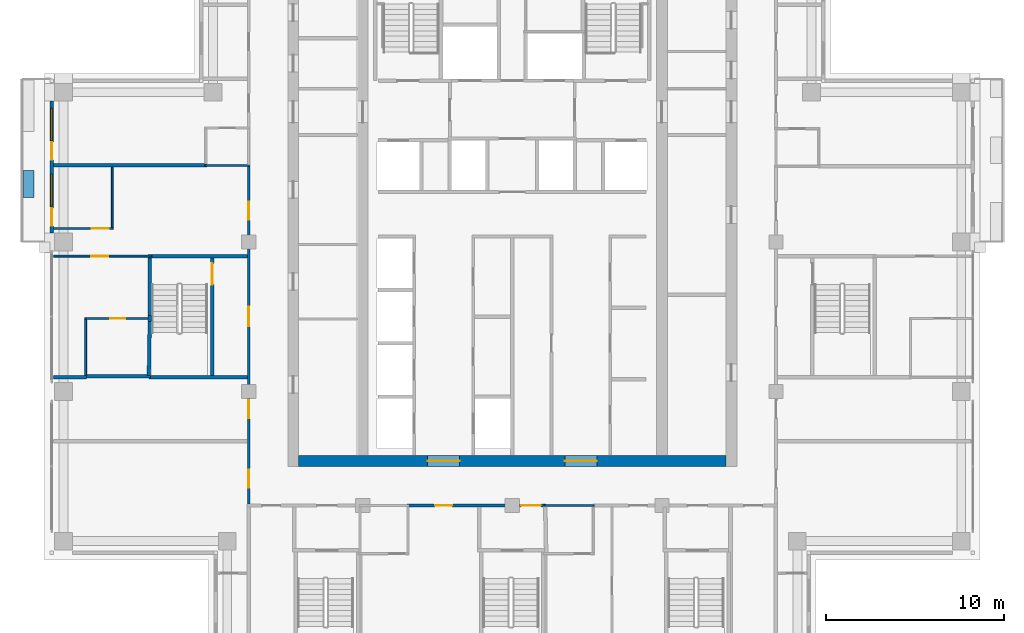
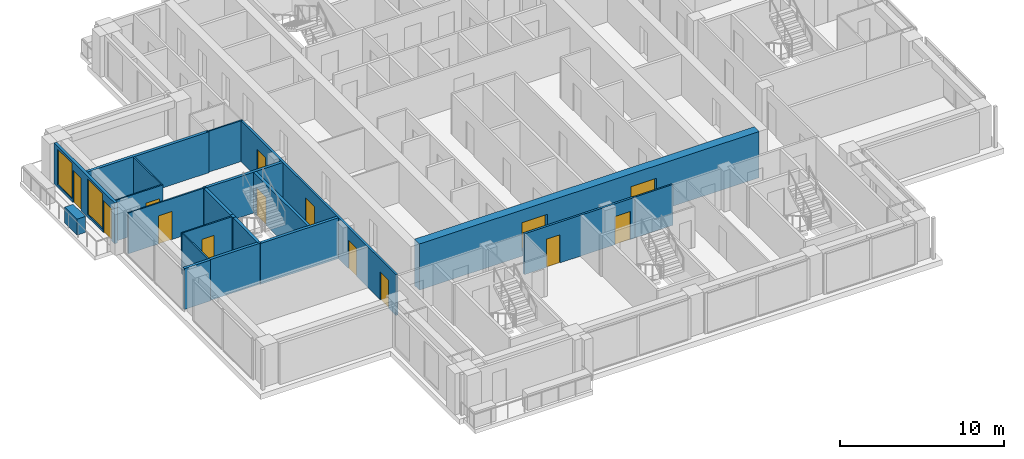
# One storey, part 8 of 16: 21 walls, 14 doors, 2 windows, 16 openings.
"""IFC4 building model written with IfcOpenShell, lengths in metres."""

from ifc_helpers import new_model, si_unit, direction, frame, frame_2d, origin, place, context, subcontext, project, spatial, rectangle, extrude, material, layer, layer_set, type_object, element, fill, save


model = new_model("IFC4")

# Units and contexts
model_context = context("Model", 3, precision=1e-05, world=origin(), true_north=direction((0.0, 1.0)))
body_context = subcontext(model_context, "Body", "Model", "MODEL_VIEW")
ifc_project = project(units=[si_unit("LENGTHUNIT", "METRE"), si_unit("AREAUNIT", "SQUARE_METRE"), si_unit("VOLUMEUNIT", "CUBIC_METRE"), si_unit("PLANEANGLEUNIT", "RADIAN"), si_unit("MASSUNIT", "GRAM", prefix="KILO")], contexts=[model_context])

# Site, building, storey
site_placement = place(None, origin())
site = spatial("IfcSite", under=ifc_project, at=site_placement, CompositionType="ELEMENT")
building_placement = place(site_placement, origin())
building = spatial("IfcBuilding", under=site, at=building_placement, Name="Vermilion Ogive Tower", CompositionType="ELEMENT")
storey_placement = place(building_placement, frame((0.0, 0.0, 182.449951171875)))
storey = spatial("IfcBuildingStorey", under=building, at=storey_placement, Name="L47", CompositionType="ELEMENT", Elevation=182.449951171875)

# Wall, openings, doors
ifc_material_1 = material(Name="Concrete B60", Category="concrete")
ifc_layer_1 = layer(ifc_material_1, 0.60009765625)
ifc_layer_set_1 = layer_set([ifc_layer_1], Name="Core wall 600 B60")
wall_type_1 = type_object("IfcWallType", Name="Core wall 600 B60", PredefinedType="SHEAR", material=ifc_layer_set_1)
wall_1_placement = place(storey_placement, frame((-12.0, -8.10009765625, -0.39990234375), z_axis=(0.0, 0.0, 1.0), x_axis=(1.0, 0.0, 0.0)))
wall_1 = element("IfcWall", 1, at=wall_1_placement, inside=storey, type_object=wall_type_1, Name="L47-CORE-S", PredefinedType="SHEAR", context=body_context, shape_type="SweptSolid", body=[
    extrude(rectangle(XDim=24.0, YDim=0.60009765625, at=frame_2d((12.0, 0.0))), origin(), (0.0, 0.0, 1.0), 3.449951171875),
])
opening_1_placement = place(wall_1_placement, frame((7.25, 0.0, 0.39990234375)))
opening_1 = element("IfcOpeningElement", 2, at=opening_1_placement, cuts=wall_1, Name="Opening DAH035", PredefinedType="OPENING", context=body_context, shape_type="SweptSolid", body=[
    extrude(rectangle(XDim=1.800048828125, YDim=2.10009765625, at=frame_2d((0.89990234375, 1.050048828125))), frame((0.0, 0.31005859375, 0.0), z_axis=(0.0, -1.0, 0.0), x_axis=(1.0, 0.0, 0.0)), (0.0, 0.0, 1.0), 0.6201171875),
])
opening_2_placement = place(wall_1_placement, frame((14.949951171875, 0.0, 0.39990234375)))
opening_2 = element("IfcOpeningElement", 3, at=opening_2_placement, cuts=wall_1, Name="Opening DAH036", PredefinedType="OPENING", context=body_context, shape_type="SweptSolid", body=[
    extrude(rectangle(XDim=1.800048828125, YDim=2.10009765625, at=frame_2d((0.89990234375, 1.050048828125))), frame((0.0, 0.31005859375, 0.0), z_axis=(0.0, -1.0, 0.0), x_axis=(1.0, 0.0, 0.0)), (0.0, 0.0, 1.0), 0.6201171875),
])
ifc_material_2 = material(Name="Timber door leaf", Category="wood")
door_type_1 = type_object("IfcDoorType", Name="Core entry door 1800 x 2100 FD60S", OperationType="DOUBLE_DOOR_SINGLE_SWING", PredefinedType="DOOR", material=ifc_material_2)
door_1_placement = place(opening_1_placement, origin())
door_1 = element("IfcDoor", 4, at=door_1_placement, inside=storey, type_object=door_type_1, Name="L47-CK-XD1", OperationType="SINGLE_SWING_LEFT", OverallHeight=2.10009765625, OverallWidth=1.800048828125, PredefinedType="DOOR", context=body_context, shape_type="SweptSolid", body=[
    extrude(rectangle(XDim=1.800048828125, YDim=2.10009765625, at=frame_2d((0.89990234375, 1.050048828125))), frame((0.0, 0.02490234375, 0.0), z_axis=(0.0, -1.0, 0.0), x_axis=(1.0, 0.0, 0.0)), (0.0, 0.0, 1.0), 0.050048828125),
])
fill(opening_1, door_1)
door_2_placement = place(opening_2_placement, origin())
door_2 = element("IfcDoor", 5, at=door_2_placement, inside=storey, type_object=door_type_1, Name="L47-CK-XD2", OperationType="SINGLE_SWING_LEFT", OverallHeight=2.10009765625, OverallWidth=1.800048828125, PredefinedType="DOOR", context=body_context, shape_type="SweptSolid", body=[
    extrude(rectangle(XDim=1.800048828125, YDim=2.10009765625, at=frame_2d((0.89990234375, 1.050048828125))), frame((0.0, 0.02490234375, 0.0), z_axis=(0.0, -1.0, 0.0), x_axis=(1.0, 0.0, 0.0)), (0.0, 0.0, 1.0), 0.050048828125),
])
fill(opening_2, door_2)

# Wall
ifc_material_3 = material(Name="Gypsum board partition on steel studs", Category="steel")
ifc_layer_2 = layer(ifc_material_3, 0.10009765625)
ifc_layer_set_2 = layer_set([ifc_layer_2], Name="Partition 100 bath")
wall_type_2 = type_object("IfcWallType", Name="Partition 100 bath", PredefinedType="PARTITIONING", material=ifc_layer_set_2)
wall_2_placement = place(storey_placement, frame((1.800048828125, -10.60009765625, 0.0), z_axis=(0.0, 0.0, 1.0), x_axis=(1.0, 0.0, 0.0)))
element("IfcWall", 6, at=wall_2_placement, inside=storey, type_object=wall_type_2, Name="L47-W-W016", PredefinedType="PARTITIONING", context=body_context, shape_type="SweptSolid", body=[
    extrude(rectangle(XDim=2.800048828125, YDim=0.10009765625, at=frame_2d((1.39990234375, 0.0))), origin(), (0.0, 0.0, 1.0), 3.050048828125),
])

# Wall, opening, door
wall_3_placement = place(storey_placement, frame((-24.0, -0.10009765625, 0.0), z_axis=(0.0, 0.0, 1.0), x_axis=(1.0, 0.0, 0.0)))
wall_3 = element("IfcWall", 7, at=wall_3_placement, inside=storey, type_object=wall_type_2, Name="L47-W-W025", PredefinedType="PARTITIONING", context=body_context, shape_type="SweptSolid", body=[
    extrude(rectangle(XDim=3.550048828125, YDim=0.10009765625, at=frame_2d((1.77490234375, 0.0))), origin(), (0.0, 0.0, 1.0), 3.050048828125),
])
opening_3_placement = place(wall_3_placement, frame((1.425048828125, 0.0, 0.0)))
opening_3 = element("IfcOpeningElement", 8, at=opening_3_placement, cuts=wall_3, Name="Opening D4G1007", PredefinedType="OPENING", context=body_context, shape_type="SweptSolid", body=[
    extrude(rectangle(XDim=0.85009765625, YDim=2.10009765625, at=frame_2d((0.425048828125, 1.050048828125))), frame((0.0, 0.06005859375, 0.0), z_axis=(0.0, -1.0, 0.0), x_axis=(1.0, 0.0, 0.0)), (0.0, 0.0, 1.0), 0.1201171875),
])
ifc_material_4 = material(Name="Timber door leaf", Category="wood")
door_type_2 = type_object("IfcDoorType", Name="Bath door 850 x 2100 FD30", OperationType="SINGLE_SWING_LEFT", PredefinedType="DOOR", material=ifc_material_4)
door_3_placement = place(opening_3_placement, origin())
door_3 = element("IfcDoor", 9, at=door_3_placement, inside=storey, type_object=door_type_2, Name="L47-D-D007", OperationType="SINGLE_SWING_RIGHT", OverallHeight=2.10009765625, OverallWidth=0.85009765625, PredefinedType="DOOR", context=body_context, shape_type="SweptSolid", body=[
    extrude(rectangle(XDim=0.85009765625, YDim=2.10009765625, at=frame_2d((0.425048828125, 1.050048828125))), frame((0.0, 0.02490234375, 0.0), z_axis=(0.0, -1.0, 0.0), x_axis=(1.0, 0.0, 0.0)), (0.0, 0.0, 1.0), 0.050048828125),
])
fill(opening_3, door_3)

# Walls
wall_4_placement = place(storey_placement, frame((-17.25, 8.489990234375, 0.0), z_axis=(0.0, 0.0, 1.0), x_axis=(1.0, 0.0, 0.0)))
element("IfcWall", 10, at=wall_4_placement, inside=storey, type_object=wall_type_2, Name="L47-W-W035", PredefinedType="PARTITIONING", context=body_context, shape_type="SweptSolid", body=[
    extrude(rectangle(XDim=2.52490234375, YDim=0.10009765625, at=frame_2d((1.262451171875, 0.0))), origin(), (0.0, 0.0, 1.0), 3.050048828125),
])
wall_5_placement = place(storey_placement, frame((-23.949951171875, -3.300048828125, 0.0), z_axis=(0.0, 0.0, 1.0), x_axis=(0.0, 1.0, 0.0)))
element("IfcWall", 11, at=wall_5_placement, inside=storey, type_object=wall_type_2, Name="L47-W-W042", PredefinedType="PARTITIONING", context=body_context, shape_type="SweptSolid", body=[
    extrude(rectangle(XDim=3.150146484375, YDim=0.10009765625, at=frame_2d((1.5751953125, 0.0))), origin(), (0.0, 0.0, 1.0), 3.050048828125),
])

# Wall, opening, door
ifc_material_5 = material(Name="Gypsum board partition on steel studs", Category="steel")
ifc_layer_3 = layer(ifc_material_5, 0.10009765625)
ifc_layer_set_3 = layer_set([ifc_layer_3], Name="Partition 100 inner")
wall_type_3 = type_object("IfcWallType", Name="Partition 100 inner", PredefinedType="PARTITIONING", material=ifc_layer_set_3)
wall_6_placement = place(storey_placement, frame((-25.75, 3.39990234375, 0.0), z_axis=(0.0, 0.0, 1.0), x_axis=(1.0, 0.0, 0.0)))
wall_6 = element("IfcWall", 12, at=wall_6_placement, inside=storey, type_object=wall_type_3, Name="L47-W-W027", PredefinedType="PARTITIONING", context=body_context, shape_type="SweptSolid", body=[
    extrude(rectangle(XDim=5.5, YDim=0.10009765625, at=frame_2d((2.75, 0.0))), origin(), (0.0, 0.0, 1.0), 3.050048828125),
])
opening_4_placement = place(wall_6_placement, frame((2.125, 0.0, 0.0)))
opening_4 = element("IfcOpeningElement", 13, at=opening_4_placement, cuts=wall_6, Name="Opening D4G1006", PredefinedType="OPENING", context=body_context, shape_type="SweptSolid", body=[
    extrude(rectangle(XDim=0.949951171875, YDim=2.10009765625, at=frame_2d((0.47509765625, 1.050048828125))), frame((0.0, 0.06005859375, 0.0), z_axis=(0.0, -1.0, 0.0), x_axis=(1.0, 0.0, 0.0)), (0.0, 0.0, 1.0), 0.1201171875),
])
ifc_material_6 = material(Name="Timber door leaf", Category="wood")
door_type_3 = type_object("IfcDoorType", Name="Inner door 950 x 2100 FD30", OperationType="SINGLE_SWING_LEFT", PredefinedType="DOOR", material=ifc_material_6)
door_4_placement = place(opening_4_placement, origin())
door_4 = element("IfcDoor", 14, at=door_4_placement, inside=storey, type_object=door_type_3, Name="L47-D-D006", OperationType="SINGLE_SWING_LEFT", OverallHeight=2.10009765625, OverallWidth=0.949951171875, PredefinedType="DOOR", context=body_context, shape_type="SweptSolid", body=[
    extrude(rectangle(XDim=0.949951171875, YDim=2.10009765625, at=frame_2d((0.47509765625, 1.050048828125))), frame((0.0, 0.02490234375, 0.0), z_axis=(0.0, -1.0, 0.0), x_axis=(1.0, 0.0, 0.0)), (0.0, 0.0, 1.0), 0.050048828125),
])
fill(opening_4, door_4)

wall_7_placement = place(storey_placement, frame((-25.75, 4.949951171875, 0.0), z_axis=(0.0, 0.0, 1.0), x_axis=(1.0, 0.0, 0.0)))
wall_7 = element("IfcWall", 15, at=wall_7_placement, inside=storey, type_object=wall_type_3, Name="L47-W-W031", PredefinedType="PARTITIONING", context=body_context, shape_type="SweptSolid", body=[
    extrude(rectangle(XDim=3.35009765625, YDim=0.10009765625, at=frame_2d((1.675048828125, 0.0))), origin(), (0.0, 0.0, 1.0), 3.050048828125),
])
opening_5_placement = place(wall_7_placement, frame((2.14990234375, 0.0, 0.0)))
opening_5 = element("IfcOpeningElement", 16, at=opening_5_placement, cuts=wall_7, Name="Opening D4G1004", PredefinedType="OPENING", context=body_context, shape_type="SweptSolid", body=[
    extrude(rectangle(XDim=0.949951171875, YDim=2.10009765625, at=frame_2d((0.47509765625, 1.050048828125))), frame((0.0, 0.06005859375, 0.0), z_axis=(0.0, -1.0, 0.0), x_axis=(1.0, 0.0, 0.0)), (0.0, 0.0, 1.0), 0.1201171875),
])
door_5_placement = place(opening_5_placement, origin())
door_5 = element("IfcDoor", 17, at=door_5_placement, inside=storey, type_object=door_type_3, Name="L47-D-D004", OperationType="SINGLE_SWING_RIGHT", OverallHeight=2.10009765625, OverallWidth=0.949951171875, PredefinedType="DOOR", context=body_context, shape_type="SweptSolid", body=[
    extrude(rectangle(XDim=0.949951171875, YDim=2.10009765625, at=frame_2d((0.47509765625, 1.050048828125))), frame((0.0, 0.02490234375, 0.0), z_axis=(0.0, -1.0, 0.0), x_axis=(1.0, 0.0, 0.0)), (0.0, 0.0, 1.0), 0.050048828125),
])
fill(opening_5, door_5)

# Wall
wall_8_placement = place(storey_placement, frame((-22.449951171875, 5.0, 0.0), z_axis=(0.0, 0.0, 1.0), x_axis=(0.0, 1.0, 0.0)))
element("IfcWall", 18, at=wall_8_placement, inside=storey, type_object=wall_type_3, Name="L47-W-W043", PredefinedType="PARTITIONING", context=body_context, shape_type="SweptSolid", body=[
    extrude(rectangle(XDim=3.389892578125, YDim=0.10009765625, at=frame_2d((1.69482421875, 0.0))), origin(), (0.0, 0.0, 1.0), 3.050048828125),
])

# Wall, openings, doors
ifc_material_7 = material(Name="Gypsum board partition on steel studs", Category="steel")
ifc_layer_4 = layer(ifc_material_7, 0.14990234375)
ifc_layer_set_4 = layer_set([ifc_layer_4], Name="Partition 150 corridor")
wall_type_4 = type_object("IfcWallType", Name="Partition 150 corridor", PredefinedType="PARTITIONING", material=ifc_layer_set_4)
wall_9_placement = place(storey_placement, frame((-5.89990234375, -10.60009765625, 0.0), z_axis=(0.0, 0.0, 1.0), x_axis=(1.0, 0.0, 0.0)))
wall_9 = element("IfcWall", 19, at=wall_9_placement, inside=storey, type_object=wall_type_4, Name="L47-W-W015", PredefinedType="PARTITIONING", context=body_context, shape_type="SweptSolid", body=[
    extrude(rectangle(XDim=7.7998046875, YDim=0.14990234375, at=frame_2d((3.89990234375, 0.0))), origin(), (0.0, 0.0, 1.0), 3.050048828125),
])
opening_6_placement = place(wall_9_placement, frame((1.574951171875, 0.0, 0.0)))
opening_6 = element("IfcOpeningElement", 20, at=opening_6_placement, cuts=wall_9, Name="Opening D4G1012", PredefinedType="OPENING", context=body_context, shape_type="SweptSolid", body=[
    extrude(rectangle(XDim=0.949951171875, YDim=2.10009765625, at=frame_2d((0.47509765625, 1.050048828125))), frame((0.0, 0.0849609375, 0.0), z_axis=(0.0, -1.0, 0.0), x_axis=(1.0, 0.0, 0.0)), (0.0, 0.0, 1.0), 0.169921875),
])
opening_7_placement = place(wall_9_placement, frame((6.39990234375, 0.0, 0.0)))
opening_7 = element("IfcOpeningElement", 21, at=opening_7_placement, cuts=wall_9, Name="Opening D4G1029", PredefinedType="OPENING", context=body_context, shape_type="SweptSolid", body=[
    extrude(rectangle(XDim=1.10009765625, YDim=2.10009765625, at=frame_2d((0.550048828125, 1.050048828125))), frame((0.0, 0.0849609375, 0.0), z_axis=(0.0, -1.0, 0.0), x_axis=(1.0, 0.0, 0.0)), (0.0, 0.0, 1.0), 0.169921875),
])
ifc_material_8 = material(Name="Timber door leaf", Category="wood")
door_type_4 = type_object("IfcDoorType", Name="Stair door 1100 x 2100 FD60S", OperationType="SINGLE_SWING_LEFT", PredefinedType="DOOR", material=ifc_material_8)
door_6_placement = place(opening_7_placement, origin())
door_6 = element("IfcDoor", 22, at=door_6_placement, inside=storey, type_object=door_type_4, Name="L47-D-D029", OperationType="SINGLE_SWING_LEFT", OverallHeight=2.10009765625, OverallWidth=1.10009765625, PredefinedType="DOOR", context=body_context, shape_type="SweptSolid", body=[
    extrude(rectangle(XDim=1.10009765625, YDim=2.10009765625, at=frame_2d((0.550048828125, 1.050048828125))), frame((0.0, 0.02490234375, 0.0), z_axis=(0.0, -1.0, 0.0), x_axis=(1.0, 0.0, 0.0)), (0.0, 0.0, 1.0), 0.050048828125),
])
fill(opening_7, door_6)
ifc_material_9 = material(Name="Timber door leaf", Category="wood")
door_type_5 = type_object("IfcDoorType", Name="Unit door 950 x 2100 FD30S", OperationType="SINGLE_SWING_LEFT", PredefinedType="DOOR", material=ifc_material_9)
door_7_placement = place(opening_6_placement, origin())
door_7 = element("IfcDoor", 23, at=door_7_placement, inside=storey, type_object=door_type_5, Name="L47-D-D012", OperationType="SINGLE_SWING_LEFT", OverallHeight=2.10009765625, OverallWidth=0.949951171875, PredefinedType="DOOR", context=body_context, shape_type="SweptSolid", body=[
    extrude(rectangle(XDim=0.949951171875, YDim=2.10009765625, at=frame_2d((0.47509765625, 1.050048828125))), frame((0.0, 0.02490234375, 0.0), z_axis=(0.0, -1.0, 0.0), x_axis=(1.0, 0.0, 0.0)), (0.0, 0.0, 1.0), 0.050048828125),
])
fill(opening_6, door_7)

wall_10_placement = place(storey_placement, frame((-14.800048828125, -10.52490234375, 0.0), z_axis=(0.0, 0.0, 1.0), x_axis=(0.0, 1.0, 0.0)))
wall_10 = element("IfcWall", 24, at=wall_10_placement, inside=storey, type_object=wall_type_4, Name="L47-W-W050", PredefinedType="PARTITIONING", context=body_context, shape_type="SweptSolid", body=[
    extrude(rectangle(XDim=18.96484375, YDim=0.14990234375, at=frame_2d((9.482421875, 0.0))), origin(), (0.0, 0.0, 1.0), 3.050048828125),
])
opening_8_placement = place(wall_10_placement, frame((0.9248046875, 0.0, 0.0)))
opening_8 = element("IfcOpeningElement", 25, at=opening_8_placement, cuts=wall_10, Name="Opening D4G1001", PredefinedType="OPENING", context=body_context, shape_type="SweptSolid", body=[
    extrude(rectangle(XDim=1.0, YDim=2.10009765625, at=frame_2d((0.5, 1.050048828125))), frame((0.0, 0.0849609375, 0.0), z_axis=(0.0, -1.0, 0.0), x_axis=(1.0, 0.0, 0.0)), (0.0, 0.0, 1.0), 0.169921875),
])
opening_9_placement = place(wall_10_placement, frame((15.969970703125, 0.0, 0.0)))
opening_9 = element("IfcOpeningElement", 26, at=opening_9_placement, cuts=wall_10, Name="Opening D4G1005", PredefinedType="OPENING", context=body_context, shape_type="SweptSolid", body=[
    extrude(rectangle(XDim=1.0, YDim=2.10009765625, at=frame_2d((0.5, 1.050048828125))), frame((0.0, 0.0849609375, 0.0), z_axis=(0.0, -1.0, 0.0), x_axis=(1.0, 0.0, 0.0)), (0.0, 0.0, 1.0), 0.169921875),
])
opening_10_placement = place(wall_10_placement, frame((9.974853515625, 0.0, 0.0)))
opening_10 = element("IfcOpeningElement", 27, at=opening_10_placement, cuts=wall_10, Name="Opening D4G1035", PredefinedType="OPENING", context=body_context, shape_type="SweptSolid", body=[
    extrude(rectangle(XDim=1.10009765625, YDim=2.10009765625, at=frame_2d((0.550048828125, 1.050048828125))), frame((0.0, 0.0849609375, 0.0), z_axis=(0.0, -1.0, 0.0), x_axis=(1.0, 0.0, 0.0)), (0.0, 0.0, 1.0), 0.169921875),
])
opening_11_placement = place(wall_10_placement, frame((4.824951171875, 0.0, 0.0)))
opening_11 = element("IfcOpeningElement", 28, at=opening_11_placement, cuts=wall_10, Name="Opening D4G1039", PredefinedType="OPENING", context=body_context, shape_type="SweptSolid", body=[
    extrude(rectangle(XDim=1.0, YDim=2.10009765625, at=frame_2d((0.5, 1.050048828125))), frame((0.0, 0.0849609375, 0.0), z_axis=(0.0, -1.0, 0.0), x_axis=(1.0, 0.0, 0.0)), (0.0, 0.0, 1.0), 0.169921875),
])
door_8_placement = place(opening_10_placement, origin())
door_8 = element("IfcDoor", 29, at=door_8_placement, inside=storey, type_object=door_type_4, Name="L47-D-D035", OperationType="SINGLE_SWING_RIGHT", OverallHeight=2.10009765625, OverallWidth=1.10009765625, PredefinedType="DOOR", context=body_context, shape_type="SweptSolid", body=[
    extrude(rectangle(XDim=1.10009765625, YDim=2.10009765625, at=frame_2d((0.550048828125, 1.050048828125))), frame((0.0, 0.02490234375, 0.0), z_axis=(0.0, -1.0, 0.0), x_axis=(1.0, 0.0, 0.0)), (0.0, 0.0, 1.0), 0.050048828125),
])
fill(opening_10, door_8)
ifc_material_10 = material(Name="Timber door leaf", Category="wood")
door_type_6 = type_object("IfcDoorType", Name="Unit door 1000 x 2100 FD30S", OperationType="SINGLE_SWING_LEFT", PredefinedType="DOOR", material=ifc_material_10)
door_9_placement = place(opening_8_placement, origin())
door_9 = element("IfcDoor", 30, at=door_9_placement, inside=storey, type_object=door_type_6, Name="L47-D-D001", OperationType="SINGLE_SWING_LEFT", OverallHeight=2.10009765625, OverallWidth=1.0, PredefinedType="DOOR", context=body_context, shape_type="SweptSolid", body=[
    extrude(rectangle(XDim=1.0, YDim=2.10009765625, at=frame_2d((0.5, 1.050048828125))), frame((0.0, 0.02490234375, 0.0), z_axis=(0.0, -1.0, 0.0), x_axis=(1.0, 0.0, 0.0)), (0.0, 0.0, 1.0), 0.050048828125),
])
fill(opening_8, door_9)
door_10_placement = place(opening_9_placement, origin())
door_10 = element("IfcDoor", 31, at=door_10_placement, inside=storey, type_object=door_type_6, Name="L47-D-D005", OperationType="SINGLE_SWING_RIGHT", OverallHeight=2.10009765625, OverallWidth=1.0, PredefinedType="DOOR", context=body_context, shape_type="SweptSolid", body=[
    extrude(rectangle(XDim=1.0, YDim=2.10009765625, at=frame_2d((0.5, 1.050048828125))), frame((0.0, 0.02490234375, 0.0), z_axis=(0.0, -1.0, 0.0), x_axis=(1.0, 0.0, 0.0)), (0.0, 0.0, 1.0), 0.050048828125),
])
fill(opening_9, door_10)
door_11_placement = place(opening_11_placement, origin())
door_11 = element("IfcDoor", 32, at=door_11_placement, inside=storey, type_object=door_type_6, Name="L47-D-D039", OperationType="SINGLE_SWING_RIGHT", OverallHeight=2.10009765625, OverallWidth=1.0, PredefinedType="DOOR", context=body_context, shape_type="SweptSolid", body=[
    extrude(rectangle(XDim=1.0, YDim=2.10009765625, at=frame_2d((0.5, 1.050048828125))), frame((0.0, 0.02490234375, 0.0), z_axis=(0.0, -1.0, 0.0), x_axis=(1.0, 0.0, 0.0)), (0.0, 0.0, 1.0), 0.050048828125),
])
fill(opening_11, door_11)

# Walls
ifc_material_11 = material(Name="Gypsum board partition on steel studs", Category="steel")
ifc_layer_5 = layer(ifc_material_11, 0.199951171875)
ifc_layer_set_5 = layer_set([ifc_layer_5], Name="Partition 200 party")
wall_type_5 = type_object("IfcWallType", Name="Partition 200 party", PredefinedType="PARTITIONING", material=ifc_layer_set_5)
wall_11_placement = place(storey_placement, frame((-25.75, -3.39990234375, 0.0), z_axis=(0.0, 0.0, 1.0), x_axis=(1.0, 0.0, 0.0)))
element("IfcWall", 33, at=wall_11_placement, inside=storey, type_object=wall_type_5, Name="L47-W-W020", PredefinedType="PARTITIONING", context=body_context, shape_type="SweptSolid", body=[
    extrude(rectangle(XDim=1.85009765625, YDim=0.199951171875, at=frame_2d((0.925048828125, 0.0))), origin(), (0.0, 0.0, 1.0), 3.050048828125),
])
wall_12_placement = place(storey_placement, frame((-25.75, 8.489990234375, 0.0), z_axis=(0.0, 0.0, 1.0), x_axis=(1.0, 0.0, 0.0)))
element("IfcWall", 34, at=wall_12_placement, inside=storey, type_object=wall_type_5, Name="L47-W-W034", PredefinedType="PARTITIONING", context=body_context, shape_type="SweptSolid", body=[
    extrude(rectangle(XDim=8.60009765625, YDim=0.199951171875, at=frame_2d((4.300048828125, 0.0))), origin(), (0.0, 0.0, 1.0), 3.050048828125),
])
ifc_material_12 = material(Name="Concrete B60", Category="concrete")
ifc_layer_6 = layer(ifc_material_12, 0.199951171875)
ifc_layer_set_6 = layer_set([ifc_layer_6], Name="Stair shaft wall 200 Concrete B60")
wall_type_6 = type_object("IfcWallType", Name="Stair shaft wall 200 Concrete B60", PredefinedType="SOLIDWALL", material=ifc_layer_set_6)
wall_13_placement = place(storey_placement, frame((-24.0, -3.349853515625, 0.0), z_axis=(0.0, 0.0, 1.0), x_axis=(1.0, 0.0, 0.0)))
element("IfcWall", 35, at=wall_13_placement, inside=storey, type_object=wall_type_6, Name="L47-W-W021", PredefinedType="SOLIDWALL", context=body_context, shape_type="SweptSolid", body=[
    extrude(rectangle(XDim=3.699951171875, YDim=0.199951171875, at=frame_2d((1.85009765625, 0.0))), origin(), (0.0, 0.0, 1.0), 3.050048828125),
])
wall_14_placement = place(storey_placement, frame((-20.449951171875, 3.39990234375, 0.0), z_axis=(0.0, 0.0, 1.0), x_axis=(1.0, 0.0, 0.0)))
element("IfcWall", 36, at=wall_14_placement, inside=storey, type_object=wall_type_6, Name="L47-W-W028", PredefinedType="SOLIDWALL", context=body_context, shape_type="SweptSolid", body=[
    extrude(rectangle(XDim=5.574951171875, YDim=0.199951171875, at=frame_2d((2.78759765625, 0.0))), origin(), (0.0, 0.0, 1.0), 3.050048828125),
])
wall_15_placement = place(storey_placement, frame((-20.400146484375, -3.300048828125, 0.0), z_axis=(0.0, 0.0, 1.0), x_axis=(0.016112644959, 0.99987018291, 0.0)))
element("IfcWall", 37, at=wall_15_placement, inside=storey, type_object=wall_type_6, Name="L47-W-W044", PredefinedType="SOLIDWALL", context=body_context, shape_type="SweptSolid", body=[
    extrude(rectangle(XDim=3.030517578125, YDim=0.199951171875, at=frame_2d((1.51513671875, 0.0))), origin(), (0.0, 0.0, 1.0), 3.050048828125),
])
wall_16_placement = place(storey_placement, frame((-20.35009765625, 0.070068359375, 0.0), z_axis=(0.0, 0.0, 1.0), x_axis=(0.0, 1.0, 0.0)))
element("IfcWall", 38, at=wall_16_placement, inside=storey, type_object=wall_type_6, Name="L47-W-W045", PredefinedType="SOLIDWALL", context=body_context, shape_type="SweptSolid", body=[
    extrude(rectangle(XDim=3.22998046875, YDim=0.199951171875, at=frame_2d((1.614990234375, 0.0))), origin(), (0.0, 0.0, 1.0), 3.050048828125),
])

# Wall, opening, door
wall_17_placement = place(storey_placement, frame((-16.85009765625, -3.300048828125, 0.0), z_axis=(0.0, 0.0, 1.0), x_axis=(0.0, 1.0, 0.0)))
wall_17 = element("IfcWall", 39, at=wall_17_placement, inside=storey, type_object=wall_type_6, Name="L47-W-W047", PredefinedType="SOLIDWALL", context=body_context, shape_type="SweptSolid", body=[
    extrude(rectangle(XDim=6.60009765625, YDim=0.199951171875, at=frame_2d((3.300048828125, 0.0))), origin(), (0.0, 0.0, 1.0), 3.050048828125),
])
opening_12_placement = place(wall_17_placement, frame((5.10009765625, 0.0, 0.0)))
opening_12 = element("IfcOpeningElement", 40, at=opening_12_placement, cuts=wall_17, Name="Opening D4G1036", PredefinedType="OPENING", context=body_context, shape_type="SweptSolid", body=[
    extrude(rectangle(XDim=1.199951171875, YDim=2.10009765625, at=frame_2d((0.60009765625, 1.050048828125))), frame((0.0, 0.10986328125, 0.0), z_axis=(0.0, -1.0, 0.0), x_axis=(1.0, 0.0, 0.0)), (0.0, 0.0, 1.0), 0.219970703125),
])
ifc_material_13 = material(Name="Timber door leaf", Category="wood")
door_type_7 = type_object("IfcDoorType", Name="Stair door 1200 x 2100 FD60S", OperationType="SINGLE_SWING_LEFT", PredefinedType="DOOR", material=ifc_material_13)
door_12_placement = place(opening_12_placement, origin())
door_12 = element("IfcDoor", 41, at=door_12_placement, inside=storey, type_object=door_type_7, Name="L47-D-D036", OperationType="SINGLE_SWING_RIGHT", OverallHeight=2.10009765625, OverallWidth=1.199951171875, PredefinedType="DOOR", context=body_context, shape_type="SweptSolid", body=[
    extrude(rectangle(XDim=1.199951171875, YDim=2.10009765625, at=frame_2d((0.60009765625, 1.050048828125))), frame((0.0, 0.02490234375, 0.0), z_axis=(0.0, -1.0, 0.0), x_axis=(1.0, 0.0, 0.0)), (0.0, 0.0, 1.0), 0.050048828125),
])
fill(opening_12, door_12)

# Walls
wall_18_placement = place(storey_placement, frame((-20.35009765625, -0.27001953125, 0.0), z_axis=(0.0, 0.0, 1.0), x_axis=(0.0, 1.0, 0.0)))
element("IfcWall", 42, at=wall_18_placement, inside=storey, type_object=wall_type_6, Name="L47-SW-ST9-W1", PredefinedType="SOLIDWALL", context=body_context, shape_type="SweptSolid", body=[
    extrude(rectangle(XDim=0.340087890625, YDim=0.199951171875, at=frame_2d((0.169921875, 0.0))), origin(), (0.0, 0.0, 1.0), 3.050048828125),
])
wall_19_placement = place(storey_placement, frame((-20.39990234375, -3.39990234375, 0.0), z_axis=(0.0, 0.0, 1.0), x_axis=(1.0, 0.0, 0.0)))
element("IfcWall", 43, at=wall_19_placement, inside=storey, type_object=wall_type_6, Name="L47-W-W022-A", PredefinedType="SOLIDWALL", context=body_context, shape_type="SweptSolid", body=[
    extrude(rectangle(XDim=5.52490234375, YDim=0.199951171875, at=frame_2d((2.762451171875, 0.0))), origin(), (0.0, 0.0, 1.0), 3.050048828125),
])
ifc_material_14 = material(Name="Concrete B40", Category="concrete")
ifc_layer_7 = layer(ifc_material_14, 0.60009765625)
ifc_layer_set_7 = layer_set([ifc_layer_7], Name="Structural planter")
wall_type_7 = type_object("IfcWallType", Name="Structural planter", PredefinedType="USERDEFINED", material=ifc_layer_set_7)
wall_20_placement = place(storey_placement, frame((-27.154052734375, 8.199951171875, -0.0400390625), z_axis=(0.0, 0.0, 1.0), x_axis=(0.0, -1.0, 0.0)))
element("IfcWall", 44, at=wall_20_placement, inside=storey, type_object=wall_type_7, Name="Planter W01A2", ObjectType="PLANTER", PredefinedType="USERDEFINED", context=body_context, shape_type="SweptSolid", body=[
    extrude(rectangle(XDim=1.5, YDim=0.60009765625, at=frame_2d((0.75, 0.0))), origin(), (0.0, 0.0, 1.0), 1.2001953125),
])

# Wall, openings, doors, windows
ifc_material_15 = material(Name="Aluminium window wall framing", Category="aluminium")
ifc_layer_8 = layer(ifc_material_15, 0.199951171875)
ifc_layer_set_8 = layer_set([ifc_layer_8], Name="Window wall")
wall_type_8 = type_object("IfcWallType", Name="Window wall", PredefinedType="STANDARD", material=ifc_layer_set_8)
wall_21_placement = place(storey_placement, frame((-25.85009765625, 12.10009765625, 0.0), z_axis=(0.0, 0.0, 1.0), x_axis=(0.0, -1.0, 0.0)))
wall_21 = element("IfcWall", 45, at=wall_21_placement, inside=storey, type_object=wall_type_8, Name="Window wall W1", PredefinedType="STANDARD", context=body_context, shape_type="SweptSolid", body=[
    extrude(rectangle(XDim=7.400146484375, YDim=0.199951171875, at=frame_2d((3.7001953125, 0.0))), origin(), (0.0, 0.0, 1.0), 3.050048828125),
])
opening_13_placement = place(wall_21_placement, frame((4.10009765625, 0.0, 0.199951171875)))
opening_13 = element("IfcOpeningElement", 46, at=opening_13_placement, cuts=wall_21, Name="Opening W1-W01", PredefinedType="OPENING", context=body_context, shape_type="SweptSolid", body=[
    extrude(rectangle(XDim=1.800048828125, YDim=2.64990234375, at=frame_2d((0.89990234375, 1.324951171875))), frame((0.0, 0.10986328125, 0.0), z_axis=(0.0, -1.0, 0.0), x_axis=(1.0, 0.0, 0.0)), (0.0, 0.0, 1.0), 0.219970703125),
])
opening_14_placement = place(wall_21_placement, frame((6.0, 0.0, 0.0)))
opening_14 = element("IfcOpeningElement", 47, at=opening_14_placement, cuts=wall_21, Name="Opening D1-W01", PredefinedType="OPENING", context=body_context, shape_type="SweptSolid", body=[
    extrude(rectangle(XDim=1.0, YDim=2.39990234375, at=frame_2d((0.5, 1.199951171875))), frame((0.0, 0.10986328125, 0.0), z_axis=(0.0, -1.0, 0.0), x_axis=(1.0, 0.0, 0.0)), (0.0, 0.0, 1.0), 0.219970703125),
])
opening_15_placement = place(wall_21_placement, frame((0.39990234375, 0.0, 0.199951171875)))
opening_15 = element("IfcOpeningElement", 48, at=opening_15_placement, cuts=wall_21, Name="Opening W1-W02", PredefinedType="OPENING", context=body_context, shape_type="SweptSolid", body=[
    extrude(rectangle(XDim=1.800048828125, YDim=2.64990234375, at=frame_2d((0.89990234375, 1.324951171875))), frame((0.0, 0.10986328125, 0.0), z_axis=(0.0, -1.0, 0.0), x_axis=(1.0, 0.0, 0.0)), (0.0, 0.0, 1.0), 0.219970703125),
])
opening_16_placement = place(wall_21_placement, frame((2.300048828125, 0.0, 0.0)))
opening_16 = element("IfcOpeningElement", 49, at=opening_16_placement, cuts=wall_21, Name="Opening D1-W02", PredefinedType="OPENING", context=body_context, shape_type="SweptSolid", body=[
    extrude(rectangle(XDim=1.0, YDim=2.39990234375, at=frame_2d((0.5, 1.199951171875))), frame((0.0, 0.10986328125, 0.0), z_axis=(0.0, -1.0, 0.0), x_axis=(1.0, 0.0, 0.0)), (0.0, 0.0, 1.0), 0.219970703125),
])
ifc_material_16 = material(Name="Aluminium framed glazed door", Category="aluminium")
door_type_8 = type_object("IfcDoorType", Name="Balcony door D1", OperationType="SINGLE_SWING_LEFT", PredefinedType="DOOR", material=ifc_material_16)
door_13_placement = place(opening_14_placement, origin())
door_13 = element("IfcDoor", 50, at=door_13_placement, inside=storey, type_object=door_type_8, Name="Balcony door W01", OperationType="SINGLE_SWING_LEFT", OverallHeight=2.39990234375, OverallWidth=1.0, PredefinedType="DOOR", context=body_context, shape_type="SweptSolid", body=[
    extrude(rectangle(XDim=1.0, YDim=2.39990234375, at=frame_2d((0.5, 1.199951171875))), frame((0.0, 0.02490234375, 0.0), z_axis=(0.0, -1.0, 0.0), x_axis=(1.0, 0.0, 0.0)), (0.0, 0.0, 1.0), 0.050048828125),
])
fill(opening_14, door_13)
door_14_placement = place(opening_16_placement, origin())
door_14 = element("IfcDoor", 51, at=door_14_placement, inside=storey, type_object=door_type_8, Name="Balcony door W02", OperationType="SINGLE_SWING_LEFT", OverallHeight=2.39990234375, OverallWidth=1.0, PredefinedType="DOOR", context=body_context, shape_type="SweptSolid", body=[
    extrude(rectangle(XDim=1.0, YDim=2.39990234375, at=frame_2d((0.5, 1.199951171875))), frame((0.0, 0.02490234375, 0.0), z_axis=(0.0, -1.0, 0.0), x_axis=(1.0, 0.0, 0.0)), (0.0, 0.0, 1.0), 0.050048828125),
])
fill(opening_16, door_14)
ifc_material_17 = material(Name="Aluminium framed double glazing", Category="aluminium")
window_type = type_object("IfcWindowType", Name="Guest window W1", PartitioningType="SINGLE_PANEL", PredefinedType="WINDOW", material=ifc_material_17)
window_1_placement = place(opening_13_placement, origin())
window_1 = element("IfcWindow", 52, at=window_1_placement, inside=storey, type_object=window_type, Name="Window W01", OverallHeight=2.64990234375, OverallWidth=1.800048828125, PartitioningType="SINGLE_PANEL", PredefinedType="WINDOW", context=body_context, shape_type="SweptSolid", body=[
    extrude(rectangle(XDim=1.800048828125, YDim=2.64990234375, at=frame_2d((0.89990234375, 1.324951171875))), frame((0.0, 0.030029296875, 0.0), z_axis=(0.0, -1.0, 0.0), x_axis=(1.0, 0.0, 0.0)), (0.0, 0.0, 1.0), 0.06005859375),
])
fill(opening_13, window_1)
window_2_placement = place(opening_15_placement, origin())
window_2 = element("IfcWindow", 53, at=window_2_placement, inside=storey, type_object=window_type, Name="Window W02", OverallHeight=2.64990234375, OverallWidth=1.800048828125, PartitioningType="SINGLE_PANEL", PredefinedType="WINDOW", context=body_context, shape_type="SweptSolid", body=[
    extrude(rectangle(XDim=1.800048828125, YDim=2.64990234375, at=frame_2d((0.89990234375, 1.324951171875))), frame((0.0, 0.030029296875, 0.0), z_axis=(0.0, -1.0, 0.0), x_axis=(1.0, 0.0, 0.0)), (0.0, 0.0, 1.0), 0.06005859375),
])
fill(opening_15, window_2)

save(model, "model.ifc")
